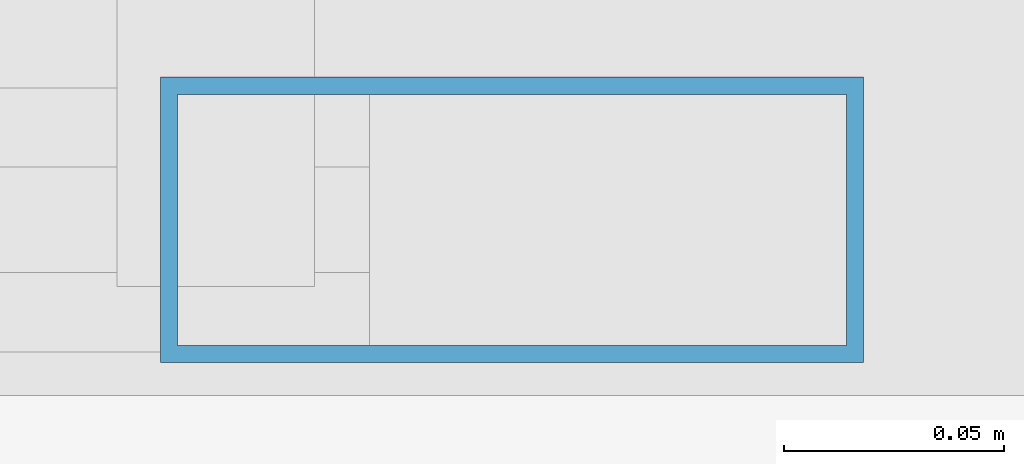
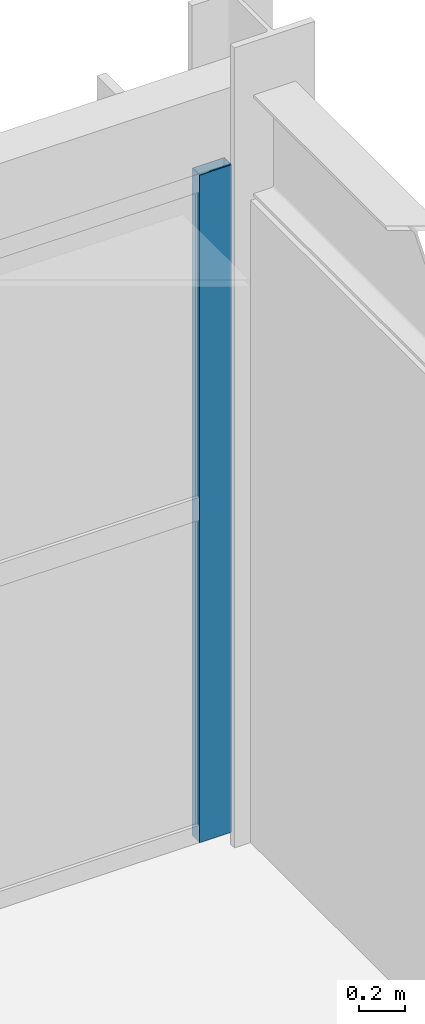
# One storey, part 96 of 148: 1 member, 1 element without a shape of its own.
"""IFC4 building model written with IfcOpenShell, lengths in metres."""

from ifc_helpers import new_model, si_unit, direction, frame, origin, origin_2d, place, context, subcontext, project, spatial, hollow_rectangle, extrude, material, material_profile, profile_set, type_object, element, aggregate, save


model = new_model("IFC4")

# Units and contexts
model_context = context("Model", 3, precision=1e-05, world=origin(), true_north=direction((0.0, 1.0)))
body_context = subcontext(model_context, "Body", "Model", "MODEL_VIEW")
ifc_project = project(units=[si_unit("LENGTHUNIT", "METRE"), si_unit("AREAUNIT", "SQUARE_METRE"), si_unit("VOLUMEUNIT", "CUBIC_METRE"), si_unit("PLANEANGLEUNIT", "RADIAN"), si_unit("MASSUNIT", "GRAM", prefix="KILO")], contexts=[model_context])

# Site, building, storey
site_placement = place(None, origin())
site = spatial("IfcSite", under=ifc_project, at=site_placement, CompositionType="ELEMENT")
building_placement = place(site_placement, origin())
building = spatial("IfcBuilding", under=site, at=building_placement, Name="Karori Crest Natural Sciences Institute", CompositionType="ELEMENT")
storey_placement = place(building_placement, frame((0.0, 0.0, 4.89990234375)))
storey = spatial("IfcBuildingStorey", under=building, at=storey_placement, Name="L01", CompositionType="ELEMENT", Elevation=4.89990234375)

# Curtain wall, member
ifc_material = material(Name="Anodised architectural aluminium 6063-T6", Category="aluminium")
curtain_wall_type = type_object("IfcCurtainWallType", Name="CWT-20", PredefinedType="NOTDEFINED", material=ifc_material)
curtain_wall_placement = place(storey_placement, origin())
curtain_wall = element("IfcCurtainWall", 1, at=curtain_wall_placement, inside=storey, type_object=curtain_wall_type, Name="Curtain wall CW-0312", PredefinedType="NOTDEFINED")
ifc_material_profile = material_profile(ifc_material, hollow_rectangle(XDim=0.06494140625, YDim=0.159912109375, WallThickness=0.00390625, at=origin_2d()), Name="CWM160x65x4")
ifc_profile_set = profile_set([ifc_material_profile], Name="Anodised architectural aluminium 6063-T6")
member_type = type_object("IfcMemberType", Name="CWM-01", PredefinedType="MULLION", material=ifc_profile_set)
member_placement = place(storey_placement, frame((161.969482421875, 20.5400390625, 0.0), z_axis=(0.0, 0.0, 1.0), x_axis=(0.0, 1.0, 0.0)))
member = element("IfcMember", 2, at=member_placement, type_object=member_type, Name="CW-0312 mullion 3", PredefinedType="MULLION", context=body_context, shape_type="SweptSolid", body=[
    extrude(hollow_rectangle(XDim=0.06494140625, YDim=0.159912109375, WallThickness=0.00390625, at=origin_2d()), origin(), (0.0, 0.0, 1.0), 3.505126953125),
])
aggregate(curtain_wall, [member])

save(model, "model.ifc")
